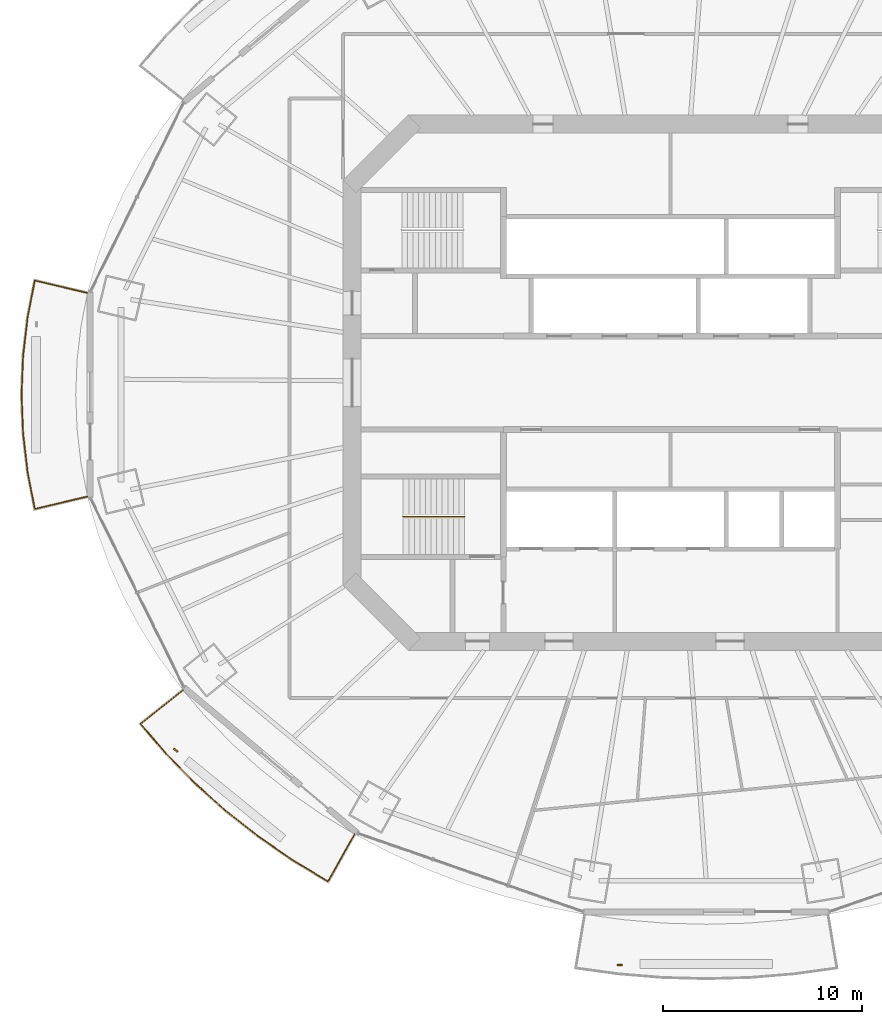
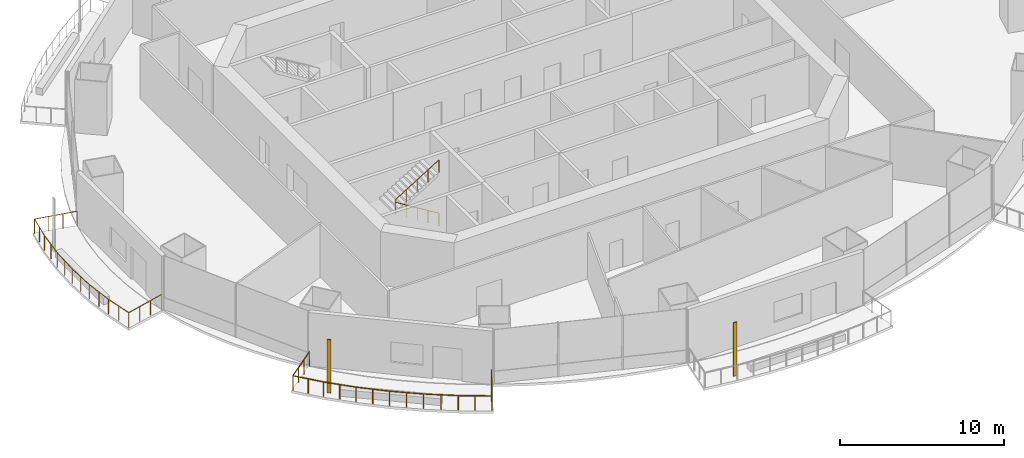
# One storey, part 16 of 21: 3 railings, 2 shading devices.
"""IFC4 building model written with IfcOpenShell, lengths in metres."""

import ifcopenshell
import ifcopenshell.guid

model = None  # the IFC model being written
_history = None  # IfcOwnerHistory: only IFC2X3 demands one
_inside = {}  # id of a spatial element -> (the spatial element, [elements in it])
_under = {}  # id of a project, library or spatial element -> (it, [spatial elements below it])
_declared = {}  # id of a project -> (the project, [libraries it declares])
_typed = {}  # id of a type object -> (the type object, [elements of that type])
_made_of = {}  # id of a material, layer set ... -> (it, [elements and type objects made of it])


def new_model(schema):
    """Start an empty IFC model of exactly this schema.

    Asked for "IFC4X3", IfcOpenShell would pick the latest addendum, in which some entities
    have other attributes; the version numbers below select the first issue.
    IFC2X3 requires an IfcOwnerHistory on every rooted entity: one is made here for all.
    """
    global model, _history
    if schema == "IFC4X3":
        model = ifcopenshell.file(schema_version=(4, 3, 0, 0))
    else:
        model = ifcopenshell.file(schema=schema)
    _inside.clear()
    _under.clear()
    _declared.clear()
    _typed.clear()
    _made_of.clear()
    _history = None
    if model.schema == "IFC2X3":
        org = make("IfcOrganization", Name="unknown")
        user = make(
            "IfcPersonAndOrganization",
            ThePerson=make("IfcPerson", FamilyName="unknown"),
            TheOrganization=org,
        )
        app = make(
            "IfcApplication",
            ApplicationDeveloper=org,
            Version="unknown",
            ApplicationFullName="unknown",
            ApplicationIdentifier="unknown",
        )
        _history = make(
            "IfcOwnerHistory",
            OwningUser=user,
            OwningApplication=app,
            ChangeAction="ADDED",
            CreationDate=0,
        )
    return model


def make(cls, **values):
    """One entity of the class cls with the attributes given. An attribute that is None is left unset."""
    return model.create_entity(
        cls, **{name: value for name, value in values.items() if value is not None}
    )


def rooted(cls, **values):
    """An entity with a GlobalId (a new one), such as an element, a storey or a relation."""
    return make(cls, GlobalId=ifcopenshell.guid.new(), OwnerHistory=_history, **values)


def si_unit(unit_type, name, prefix=None):
    """IfcSIUnit, for example si_unit("LENGTHUNIT", "METRE", prefix="MILLI")."""
    return make("IfcSIUnit", UnitType=unit_type, Prefix=prefix, Name=name)


def assignment(units):
    """IfcUnitAssignment: the units of a project."""
    return None if units is None else make("IfcUnitAssignment", Units=units)


def point(xyz):
    """IfcCartesianPoint."""
    return None if xyz is None else make("IfcCartesianPoint", Coordinates=xyz)


def direction(xyz):
    """IfcDirection."""
    return None if xyz is None else make("IfcDirection", DirectionRatios=xyz)


def frame(location, z_axis=None, x_axis=None):
    """IfcAxis2Placement3D, a coordinate frame: its origin and axes. An axis left out is left unset."""
    return make(
        "IfcAxis2Placement3D",
        Location=point(location),
        Axis=direction(z_axis),
        RefDirection=direction(x_axis),
    )


def frame_2d(location, x_axis=None):
    """IfcAxis2Placement2D, a coordinate frame in the plane: its origin and x axis."""
    return make(
        "IfcAxis2Placement2D", Location=point(location), RefDirection=direction(x_axis)
    )


def origin():
    """The frame at (0, 0, 0) with its axes left unset."""
    return frame((0.0, 0.0, 0.0))


def origin_2d():
    """The frame at (0, 0) in the plane with its x axis left unset."""
    return frame_2d((0.0, 0.0))


def place(relative_to, where):
    """IfcLocalPlacement: puts the frame where relative to a parent placement (None: the world)."""
    return make(
        "IfcLocalPlacement", PlacementRelTo=relative_to, RelativePlacement=where
    )


def context(
    kind, dimensions, precision=None, world=None, true_north=None, identifier=None
):
    """IfcGeometricRepresentationContext, for example the 3D "Model" context."""
    return make(
        "IfcGeometricRepresentationContext",
        ContextIdentifier=identifier,
        ContextType=kind,
        CoordinateSpaceDimension=dimensions,
        Precision=precision,
        WorldCoordinateSystem=world,
        TrueNorth=true_north,
    )


def subcontext(parent, identifier, kind, view, scale=None):
    """IfcGeometricRepresentationSubContext, for example "Body" below "Model"."""
    return make(
        "IfcGeometricRepresentationSubContext",
        ContextIdentifier=identifier,
        ContextType=kind,
        ParentContext=parent,
        TargetScale=scale,
        TargetView=view,
    )


def project(units=None, contexts=None):
    """IfcProject with its units and contexts."""
    return rooted(
        "IfcProject",
        Name="project",
        RepresentationContexts=contexts,
        UnitsInContext=assignment(units),
    )


def spatial(cls, under=None, at=None, **own):
    """A site, building, storey or space (cls), placed at a placement, below another one or the project."""
    s = rooted(cls, ObjectPlacement=at, **own)
    if under is not None:
        _under.setdefault(under.id(), (under, []))[1].append(s)
    return s


def profile(cls, at=None, kind="AREA", **sizes):
    """A parametric profile (cls). Its sizes go by their IFC names, for example OverallWidth=200.0."""
    return make(cls, ProfileType=kind, Position=at, **sizes)


def rectangle(**sizes):
    """IfcRectangleProfileDef."""
    return profile("IfcRectangleProfileDef", **sizes)


def circle(**sizes):
    """IfcCircleProfileDef."""
    return profile("IfcCircleProfileDef", **sizes)


def extrude(swept, where, along, depth):
    """IfcExtrudedAreaSolid: the profile swept, set in the frame where, extruded along a direction by depth."""
    return make(
        "IfcExtrudedAreaSolid",
        SweptArea=swept,
        Position=where,
        ExtrudedDirection=direction(along),
        Depth=depth,
    )


def shape(context_of_items, identifier, shape_type, items):
    """IfcShapeRepresentation: the items that make up one representation, for example the "Body"."""
    return make(
        "IfcShapeRepresentation",
        ContextOfItems=context_of_items,
        RepresentationIdentifier=identifier,
        RepresentationType=shape_type,
        Items=items,
    )


def material(Name=None, Category=None):
    """IfcMaterial."""
    return make("IfcMaterial", Name=Name, Category=Category)


def material_profile(
    of_material, cross_section, Name=None, Category=None, Priority=None
):
    """IfcMaterialProfile: a cross section and its material."""
    return make(
        "IfcMaterialProfile",
        Name=Name,
        Material=of_material,
        Profile=cross_section,
        Priority=Priority,
        Category=Category,
    )


def profile_set(profiles, Name=None, composite=None):
    """IfcMaterialProfileSet."""
    return make(
        "IfcMaterialProfileSet",
        Name=Name,
        MaterialProfiles=profiles,
        CompositeProfile=composite,
    )


def made_of(thing, what):
    """Note that an element or type object is made of a material, layer set ...; save() writes the relation."""
    if what is not None:
        _made_of.setdefault(what.id(), (what, []))[1].append(thing)
    return thing


def type_object(cls, material=None, **own):
    """A type object (cls), such as IfcWallType, which elements share."""
    return made_of(rooted(cls, **own), material)


def element(
    cls,
    number,
    at=None,
    inside=None,
    cuts=None,
    type_object=None,
    material=None,
    context=None,
    identifier="Body",
    shape_type=None,
    held_by="IfcProductDefinitionShape",
    body=None,
    shapes=None,
    **own,
):
    """One element of the class cls, such as IfcWall. Its Tag is "e" and its number.

    at: its placement. inside: the storey or other place that contains it. cuts: it is an
    opening in that element (IfcRelVoidsElement). A single representation is given by context,
    identifier, shape_type and body (its items); several are given by shapes. held_by: the class
    of the entity that holds the representations. save() writes the other relations.
    """
    e = rooted(cls, Tag="e%d" % number, ObjectPlacement=at, **own)
    if body is not None:
        shapes = [shape(context, identifier, shape_type, body)]
    if shapes is not None:
        e.Representation = make(held_by, Representations=shapes)
    if inside is not None:
        _inside.setdefault(inside.id(), (inside, []))[1].append(e)
    if cuts is not None:
        rooted(
            "IfcRelVoidsElement", RelatingBuildingElement=cuts, RelatedOpeningElement=e
        )
    if type_object is not None:
        _typed.setdefault(type_object.id(), (type_object, []))[1].append(e)
    return made_of(e, material)


def aggregate(whole, parts):
    """IfcRelAggregates: a whole, such as a stair, and the parts it consists of."""
    return rooted("IfcRelAggregates", RelatingObject=whole, RelatedObjects=parts)


def save(model, path):
    """Write the relations noted so far, then the file.

    IfcRelAggregates (storeys below a building ...), IfcRelContainedInSpatialStructure (elements
    in a storey), IfcRelDefinesByType, IfcRelAssociatesMaterial and IfcRelDeclares: one each for
    every whole, place, type object, material and project.
    """
    for whole, parts in _under.values():
        aggregate(whole, parts)
    for where, things in _inside.values():
        rooted(
            "IfcRelContainedInSpatialStructure",
            RelatedElements=things,
            RelatingStructure=where,
        )
    for kind, things in _typed.values():
        rooted("IfcRelDefinesByType", RelatedObjects=things, RelatingType=kind)
    for what, things in _made_of.values():
        rooted("IfcRelAssociatesMaterial", RelatedObjects=things, RelatingMaterial=what)
    for by, libraries in _declared.values():
        rooted("IfcRelDeclares", RelatingContext=by, RelatedDefinitions=libraries)
    model.write(path)


model = new_model("IFC4")

# Units and contexts
model_context = context("Model", 3, precision=1e-05, world=origin(), true_north=direction((0.0, 1.0)))
body_context = subcontext(model_context, "Body", "Model", "MODEL_VIEW")
ifc_project = project(units=[si_unit("LENGTHUNIT", "METRE"), si_unit("AREAUNIT", "SQUARE_METRE"), si_unit("VOLUMEUNIT", "CUBIC_METRE"), si_unit("PLANEANGLEUNIT", "RADIAN"), si_unit("MASSUNIT", "GRAM", prefix="KILO")], contexts=[model_context])

# Site, building, storey
site_placement = place(None, origin())
site = spatial("IfcSite", under=ifc_project, at=site_placement, CompositionType="ELEMENT")
building_placement = place(site_placement, origin())
building = spatial("IfcBuilding", under=site, at=building_placement, Name="Marenthal Gate Tower", CompositionType="ELEMENT")
storey_placement = place(building_placement, frame((0.0, 0.0, 206.699951171875)))
storey = spatial("IfcBuildingStorey", under=building, at=storey_placement, Name="L45", CompositionType="ELEMENT", Elevation=206.699951171875)

# Railings
ifc_material_1 = material(Name="Stainless steel", Category="steel")
railing_type_1 = type_object("IfcRailingType", Name="Balcony guard 1100", PredefinedType="GUARDRAIL", material=ifc_material_1)
railing_1_placement = place(storey_placement, frame((-29.301513671875, -5.71435546875, 0.0)))
element("IfcRailing", 1, at=railing_1_placement, inside=storey, type_object=railing_type_1, Name="Balcony guard L45 bay 8", PredefinedType="GUARDRAIL", context=body_context, shape_type="SweptSolid", body=[
    extrude(circle(Radius=0.02392578125, at=origin_2d()), frame((0.0, 0.0, 1.076171875), z_axis=(-0.973007168768, -0.230304989859, -0.014719414784), x_axis=(0.230329942988, -0.973112592336, 0.0)), (0.0, 0.0, 1.0), 2.72021484375),
    extrude(circle(Radius=0.02392578125, at=origin_2d()), frame((-2.646728515625, -0.62646484375, 1.0361328125), z_axis=(-0.191345653043, 0.98152271551, 0.0), x_axis=(-0.98152271551, -0.191345653043, 0.0)), (0.0, 0.0, 1.0), 1.880615234375),
    extrude(circle(Radius=0.02392578125, at=origin_2d()), frame((-3.006591796875, 1.219482421875, 1.0361328125), z_axis=(-0.116457405552, 0.993195687008, 0.0), x_axis=(-0.993195687008, -0.116457405552, 0.0)), (0.0, 0.0, 1.0), 1.9560546875),
    extrude(circle(Radius=0.02392578125, at=origin_2d()), frame((-3.234375, 3.162109375, 1.0361328125), z_axis=(-0.038989839597, 0.999239607105, 0.0), x_axis=(-0.999239607105, -0.038989839597, 0.0)), (0.0, 0.0, 1.0), 1.95361328125),
    extrude(circle(Radius=0.02392578125, at=origin_2d()), frame((-3.310546875, 5.1142578125, 1.0361328125), z_axis=(0.038989839597, 0.999239607105, 0.0), x_axis=(-0.999239607105, 0.038989839597, 0.0)), (0.0, 0.0, 1.0), 1.95361328125),
    extrude(circle(Radius=0.02392578125, at=origin_2d()), frame((-3.234375, 7.06640625, 1.0361328125), z_axis=(0.116442969982, 0.993197379548, 0.0), x_axis=(-0.993197379548, 0.116442969982, 0.0)), (0.0, 0.0, 1.0), 1.956298828125),
    extrude(circle(Radius=0.02392578125, at=origin_2d()), frame((-3.006591796875, 9.00927734375, 1.0361328125), z_axis=(0.191345653043, 0.98152271551, 0.0), x_axis=(-0.98152271551, 0.191345653043, 0.0)), (0.0, 0.0, 1.0), 1.880615234375),
    extrude(circle(Radius=0.02392578125, at=origin_2d()), frame((-2.646728515625, 10.855224609375, 1.0361328125), z_axis=(0.973007168768, -0.230304989859, 0.014719414784), x_axis=(0.230329942988, 0.973112592336, 0.0)), (0.0, 0.0, 1.0), 2.72021484375),
    extrude(circle(Radius=0.02099609375, at=origin_2d()), origin(), (0.0, 0.0, 1.0), 1.052001953125),
    extrude(circle(Radius=0.02099609375, at=origin_2d()), frame((-0.88232421875, -0.208740234375, -0.013427734375)), (0.0, 0.0, 1.0), 1.052001953125),
    extrude(circle(Radius=0.02099609375, at=origin_2d()), frame((-1.764404296875, -0.417724609375, -0.026611328125)), (0.0, 0.0, 1.0), 1.052001953125),
    extrude(circle(Radius=0.02099609375, at=origin_2d()), frame((-2.646728515625, -0.62646484375, -0.0400390625)), (0.0, 0.0, 1.0), 1.052001953125),
    extrude(circle(Radius=0.02099609375, at=origin_2d()), frame((-2.82666015625, 0.29638671875, -0.0400390625)), (0.0, 0.0, 1.0), 1.052001953125),
    extrude(circle(Radius=0.02099609375, at=origin_2d()), frame((-3.006591796875, 1.219482421875, -0.0400390625)), (0.0, 0.0, 1.0), 1.052001953125),
    extrude(circle(Radius=0.02099609375, at=origin_2d()), frame((-3.12060546875, 2.19091796875, -0.0400390625)), (0.0, 0.0, 1.0), 1.052001953125),
    extrude(circle(Radius=0.02099609375, at=origin_2d()), frame((-3.234375, 3.162109375, -0.0400390625)), (0.0, 0.0, 1.0), 1.052001953125),
    extrude(circle(Radius=0.02099609375, at=origin_2d()), frame((-3.2724609375, 4.13818359375, -0.0400390625)), (0.0, 0.0, 1.0), 1.052001953125),
    extrude(circle(Radius=0.02099609375, at=origin_2d()), frame((-3.310546875, 5.1142578125, -0.0400390625)), (0.0, 0.0, 1.0), 1.052001953125),
    extrude(circle(Radius=0.02099609375, at=origin_2d()), frame((-3.2724609375, 6.09033203125, -0.0400390625)), (0.0, 0.0, 1.0), 1.052001953125),
    extrude(circle(Radius=0.02099609375, at=origin_2d()), frame((-3.234375, 7.06640625, -0.0400390625)), (0.0, 0.0, 1.0), 1.052001953125),
    extrude(circle(Radius=0.02099609375, at=origin_2d()), frame((-3.12060546875, 8.037841796875, -0.0400390625)), (0.0, 0.0, 1.0), 1.052001953125),
    extrude(circle(Radius=0.02099609375, at=origin_2d()), frame((-3.006591796875, 9.00927734375, -0.0400390625)), (0.0, 0.0, 1.0), 1.052001953125),
    extrude(circle(Radius=0.02099609375, at=origin_2d()), frame((-2.82666015625, 9.93212890625, -0.0400390625)), (0.0, 0.0, 1.0), 1.052001953125),
    extrude(circle(Radius=0.02099609375, at=origin_2d()), frame((-2.646728515625, 10.855224609375, -0.0400390625)), (0.0, 0.0, 1.0), 1.052001953125),
    extrude(circle(Radius=0.02099609375, at=origin_2d()), frame((-1.764404296875, 10.646484375, -0.026611328125)), (0.0, 0.0, 1.0), 1.052001953125),
    extrude(circle(Radius=0.02099609375, at=origin_2d()), frame((-0.88232421875, 10.4375, -0.013427734375)), (0.0, 0.0, 1.0), 1.052001953125),
    extrude(circle(Radius=0.02099609375, at=origin_2d()), frame((0.0, 10.228759765625, 0.0)), (0.0, 0.0, 1.0), 1.052001953125),
])
railing_2_placement = place(storey_placement, frame((-15.876953125, -22.6904296875, 0.0)))
element("IfcRailing", 2, at=railing_2_placement, inside=storey, type_object=railing_type_1, Name="Balcony guard L45 bay 10", PredefinedType="GUARDRAIL", context=body_context, shape_type="SweptSolid", body=[
    extrude(circle(Radius=0.02392578125, at=origin_2d()), frame((0.0, 0.0, 1.076171875), z_axis=(-0.489585880475, -0.871830841967, -0.014718988891), x_axis=(0.871925297796, -0.48963892315, 0.0)), (0.0, 0.0, 1.0), 2.72021484375),
    extrude(circle(Radius=0.02392578125, at=origin_2d()), frame((-1.331787109375, -2.37158203125, 1.0361328125), z_axis=(-0.856221203989, 0.516609378389, 0.0), x_axis=(-0.516609378389, -0.856221203989, 0.0)), (0.0, 0.0, 1.0), 2.053955078125),
    extrude(circle(Radius=0.02392578125, at=origin_2d()), frame((-3.09033203125, -1.310546875, 1.0361328125), z_axis=(-0.823307575665, 0.56759548611, 0.0), x_axis=(-0.56759548611, -0.823307575665, 0.0)), (0.0, 0.0, 1.0), 2.11669921875),
    extrude(circle(Radius=0.02392578125, at=origin_2d()), frame((-4.8330078125, -0.109130859375, 1.0361328125), z_axis=(-0.785971142181, 0.618263183166, 0.0), x_axis=(-0.618263183166, -0.785971142181, 0.0)), (0.0, 0.0, 1.0), 2.09912109375),
    extrude(circle(Radius=0.02392578125, at=origin_2d()), frame((-6.48291015625, 1.188720703125, 1.0361328125), z_axis=(-0.744476957646, 0.667648155494, 0.0), x_axis=(-0.667648155494, -0.744476957646, 0.0)), (0.0, 0.0, 1.0), 2.081298828125),
    extrude(circle(Radius=0.02392578125, at=origin_2d()), frame((-8.032470703125, 2.578369140625, 1.0361328125), z_axis=(-0.698897192243, 0.715222143585, 0.0), x_axis=(-0.715222143585, -0.698897192243, 0.0)), (0.0, 0.0, 1.0), 2.063720703125),
    extrude(circle(Radius=0.02392578125, at=origin_2d()), frame((-9.474853515625, 4.054443359375, 1.0361328125), z_axis=(-0.650106163754, 0.759843389028, 0.0), x_axis=(-0.759843389028, -0.650106163754, 0.0)), (0.0, 0.0, 1.0), 1.966796875),
    extrude(circle(Radius=0.02392578125, at=origin_2d()), frame((-10.75341796875, 5.548828125, 1.0361328125), z_axis=(0.782776566638, 0.62212877321, 0.014718568783), x_axis=(-0.622196171988, 0.782861369313, 0.0)), (0.0, 0.0, 1.0), 2.72021484375),
    extrude(circle(Radius=0.02099609375, at=origin_2d()), origin(), (0.0, 0.0, 1.0), 1.052001953125),
    extrude(circle(Radius=0.02099609375, at=origin_2d()), frame((-0.44384765625, -0.79052734375, -0.013427734375)), (0.0, 0.0, 1.0), 1.052001953125),
    extrude(circle(Radius=0.02099609375, at=origin_2d()), frame((-0.887939453125, -1.5810546875, -0.026611328125)), (0.0, 0.0, 1.0), 1.052001953125),
    extrude(circle(Radius=0.02099609375, at=origin_2d()), frame((-1.331787109375, -2.37158203125, -0.0400390625)), (0.0, 0.0, 1.0), 1.052001953125),
    extrude(circle(Radius=0.02099609375, at=origin_2d()), frame((-2.2109375, -1.841064453125, -0.0400390625)), (0.0, 0.0, 1.0), 1.052001953125),
    extrude(circle(Radius=0.02099609375, at=origin_2d()), frame((-3.09033203125, -1.310546875, -0.0400390625)), (0.0, 0.0, 1.0), 1.052001953125),
    extrude(circle(Radius=0.02099609375, at=origin_2d()), frame((-3.961669921875, -0.7099609375, -0.0400390625)), (0.0, 0.0, 1.0), 1.052001953125),
    extrude(circle(Radius=0.02099609375, at=origin_2d()), frame((-4.8330078125, -0.109130859375, -0.0400390625)), (0.0, 0.0, 1.0), 1.052001953125),
    extrude(circle(Radius=0.02099609375, at=origin_2d()), frame((-5.657958984375, 0.539794921875, -0.0400390625)), (0.0, 0.0, 1.0), 1.052001953125),
    extrude(circle(Radius=0.02099609375, at=origin_2d()), frame((-6.48291015625, 1.188720703125, -0.0400390625)), (0.0, 0.0, 1.0), 1.052001953125),
    extrude(circle(Radius=0.02099609375, at=origin_2d()), frame((-7.2578125, 1.883544921875, -0.0400390625)), (0.0, 0.0, 1.0), 1.052001953125),
    extrude(circle(Radius=0.02099609375, at=origin_2d()), frame((-8.032470703125, 2.578369140625, -0.0400390625)), (0.0, 0.0, 1.0), 1.052001953125),
    extrude(circle(Radius=0.02099609375, at=origin_2d()), frame((-8.753662109375, 3.31640625, -0.0400390625)), (0.0, 0.0, 1.0), 1.052001953125),
    extrude(circle(Radius=0.02099609375, at=origin_2d()), frame((-9.474853515625, 4.054443359375, -0.0400390625)), (0.0, 0.0, 1.0), 1.052001953125),
    extrude(circle(Radius=0.02099609375, at=origin_2d()), frame((-10.1142578125, 4.8017578125, -0.0400390625)), (0.0, 0.0, 1.0), 1.052001953125),
    extrude(circle(Radius=0.02099609375, at=origin_2d()), frame((-10.75341796875, 5.548828125, -0.0400390625)), (0.0, 0.0, 1.0), 1.052001953125),
    extrude(circle(Radius=0.02099609375, at=origin_2d()), frame((-10.043701171875, 6.113037109375, -0.026611328125)), (0.0, 0.0, 1.0), 1.052001953125),
    extrude(circle(Radius=0.02099609375, at=origin_2d()), frame((-9.333740234375, 6.677001953125, -0.013427734375)), (0.0, 0.0, 1.0), 1.052001953125),
    extrude(circle(Radius=0.02099609375, at=origin_2d()), frame((-8.6240234375, 7.2412109375, 0.0)), (0.0, 0.0, 1.0), 1.052001953125),
])
ifc_material_2 = material(Name="Stainless steel", Category="steel")
railing_type_2 = type_object("IfcRailingType", Name="Stair handrail", PredefinedType="HANDRAIL", material=ifc_material_2)
railing_3_placement = place(storey_placement, frame((-10.35009765625, -6.72509765625, 0.1728515625)))
element("IfcRailing", 3, at=railing_3_placement, inside=storey, type_object=railing_type_2, Name="Handrail ST2", PredefinedType="HANDRAIL", context=body_context, shape_type="SweptSolid", body=[
    extrude(circle(Radius=0.0224609375, at=origin_2d()), frame((0.0, 0.0, 0.927490234375), z_axis=(-0.850816621229, 0.0, 0.525462726595), x_axis=(0.0, -1.0, 0.0)), (0.0, 0.0, 1.0), 3.619873046875),
    extrude(circle(Radius=0.0224609375, at=origin_2d()), frame((-3.079833984375, 0.0, 2.82958984375), z_axis=(0.0, 0.0, 1.0), x_axis=(1.0, 0.0, 0.0)), (0.0, 0.0, 1.0), 0.173095703125),
    extrude(circle(Radius=0.0224609375, at=origin_2d()), frame((-3.079833984375, 0.0, 3.002685546875), z_axis=(0.850816621229, 0.0, 0.525462726595), x_axis=(0.0, 1.0, 0.0)), (0.0, 0.0, 1.0), 3.619873046875),
    extrude(circle(Radius=0.02001953125, at=origin_2d()), origin(), (0.0, 0.0, 1.0), 0.905029296875),
    extrude(circle(Radius=0.02001953125, at=origin_2d()), frame((-0.77001953125, 0.0, 0.4755859375)), (0.0, 0.0, 1.0), 0.905029296875),
    extrude(circle(Radius=0.02001953125, at=origin_2d()), frame((-1.5400390625, 0.0, 0.951171875)), (0.0, 0.0, 1.0), 0.905029296875),
    extrude(circle(Radius=0.02001953125, at=origin_2d()), frame((-2.309814453125, 0.0, 1.426513671875)), (0.0, 0.0, 1.0), 0.905029296875),
    extrude(circle(Radius=0.02001953125, at=origin_2d()), frame((-3.079833984375, 0.0, 1.902099609375)), (0.0, 0.0, 1.0), 0.905029296875),
    extrude(circle(Radius=0.02001953125, at=origin_2d()), frame((-3.079833984375, 0.0, 2.0751953125)), (0.0, 0.0, 1.0), 0.905029296875),
    extrude(circle(Radius=0.02001953125, at=origin_2d()), frame((-2.309814453125, 0.0, 2.55078125)), (0.0, 0.0, 1.0), 0.905029296875),
    extrude(circle(Radius=0.02001953125, at=origin_2d()), frame((-1.5400390625, 0.0, 3.0263671875)), (0.0, 0.0, 1.0), 0.905029296875),
    extrude(circle(Radius=0.02001953125, at=origin_2d()), frame((-0.77001953125, 0.0, 3.501708984375)), (0.0, 0.0, 1.0), 0.905029296875),
    extrude(circle(Radius=0.02001953125, at=origin_2d()), frame((0.0, 0.0, 3.977294921875)), (0.0, 0.0, 1.0), 0.905029296875),
])

# Shading devices
ifc_material_3 = material(Name="Terracotta", Category="masonry")
ifc_material_profile = material_profile(ifc_material_3, rectangle(XDim=0.25, YDim=0.080078125, at=origin_2d()), Name="Terracotta baguette 250x80")
ifc_profile_set = profile_set([ifc_material_profile], Name="Terracotta")
shading_device_type = type_object("IfcShadingDeviceType", Name="Terracotta BAGUETTE SCREEN 250x80", PredefinedType="USERDEFINED", material=ifc_profile_set)
for number, where, z_axis, x_axis, name in (
    (4, (-24.8701171875, -18.467529296875, -0.0400390625), (0.0, 0.0, 1.0), (0.765704864788, -0.643192086425, 0.0), "Terracotta BAGUETTE L45 bay 10L"),
    (5, (-2.544189453125, -29.260009765625, -0.0400390625), (0.0, 0.0, 1.0), (1.0, 0.0, 0.0), "Terracotta BAGUETTE L45 bay 12L"),
):
    element("IfcShadingDevice", number, at=place(storey_placement, frame(where, z_axis=z_axis, x_axis=x_axis)), inside=storey, type_object=shading_device_type, Name=name, ObjectType="BAGUETTE SCREEN", PredefinedType="USERDEFINED", context=body_context, shape_type="SweptSolid", body=[
        extrude(rectangle(XDim=0.25, YDim=0.080078125, at=origin_2d()), origin(), (0.0, 0.0, 1.0), 3.969970703125),
    ])

save(model, "model.ifc")
